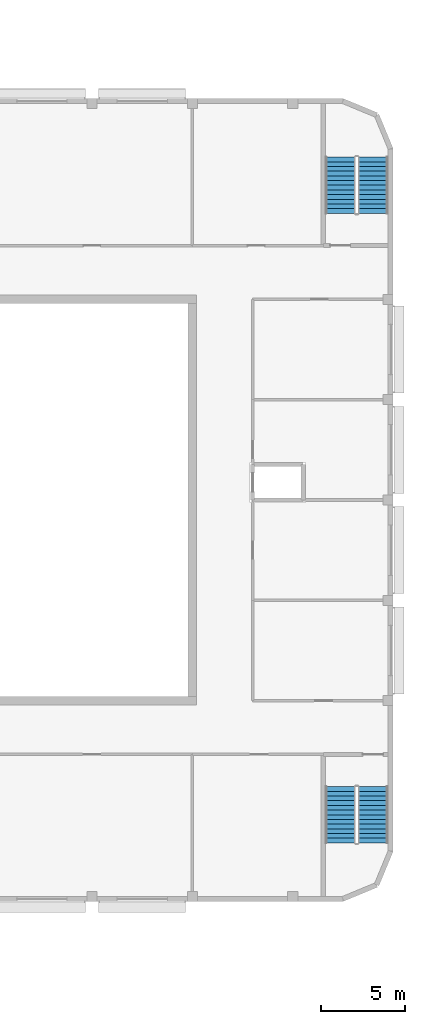
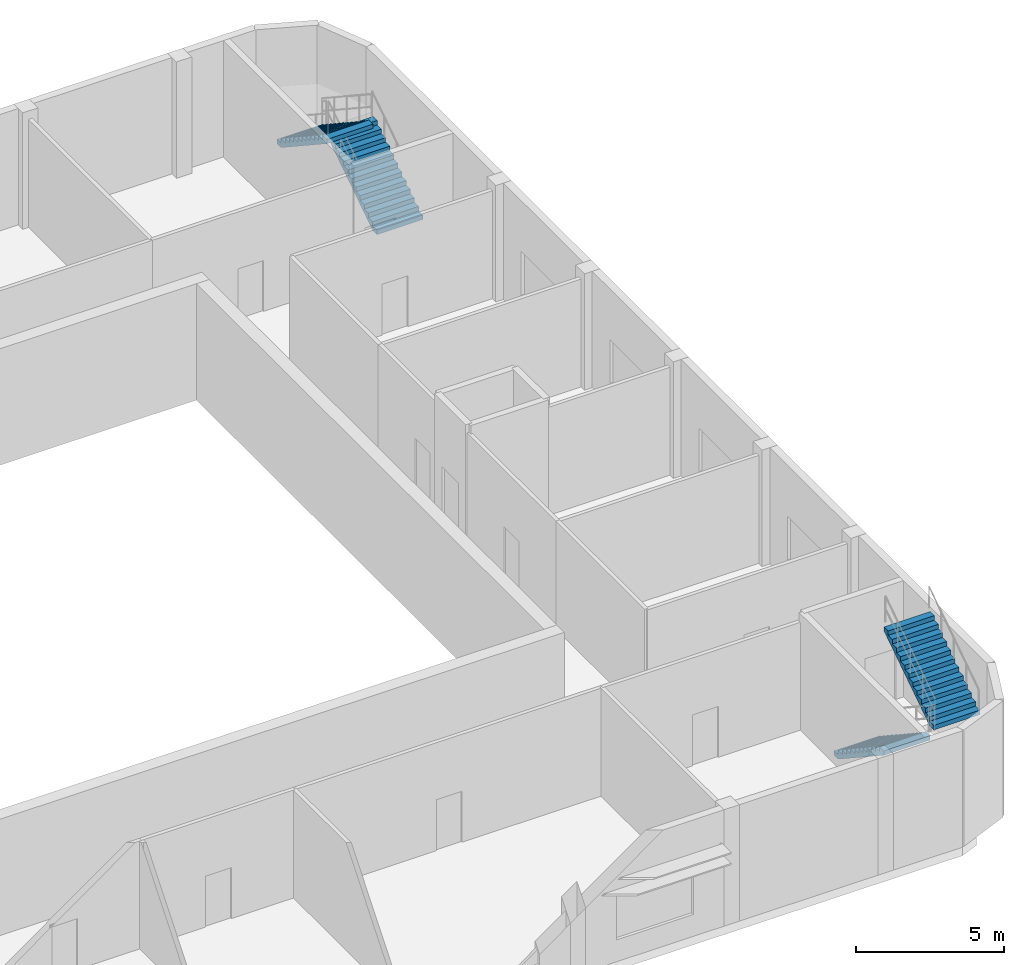
# One storey, part 27 of 45: 4 stair flights, 2 elements without a shape of their own.
"""IFC4 building model written with IfcOpenShell, lengths in metres."""

from ifc_helpers import new_model, si_unit, direction, frame, origin, place, context, subcontext, project, spatial, polyline, outline, extrude, material, type_object, element, aggregate, save


model = new_model("IFC4")

# Units and contexts
model_context = context("Model", 3, precision=1e-05, world=origin(), true_north=direction((0.0, 1.0)))
body_context = subcontext(model_context, "Body", "Model", "MODEL_VIEW")
ifc_project = project(units=[si_unit("LENGTHUNIT", "METRE"), si_unit("AREAUNIT", "SQUARE_METRE"), si_unit("VOLUMEUNIT", "CUBIC_METRE"), si_unit("PLANEANGLEUNIT", "RADIAN"), si_unit("MASSUNIT", "GRAM", prefix="KILO")], contexts=[model_context])

# Site, building, storey
site_placement = place(None, origin())
site = spatial("IfcSite", under=ifc_project, at=site_placement, CompositionType="ELEMENT")
building_placement = place(site_placement, origin())
building = spatial("IfcBuilding", under=site, at=building_placement, Name="Nakaniwa Court", CompositionType="ELEMENT")
storey_placement = place(building_placement, frame((0.0, 0.0, 6.60009765625)))
storey = spatial("IfcBuildingStorey", under=building, at=storey_placement, Name="L01", CompositionType="ELEMENT", Elevation=6.60009765625)

# Stair, stair flights
ifc_material = material(Name="Concrete C40/50", Category="concrete")
stair_type = type_object("IfcStairType", Name="Hall exit stair 26 risers", PredefinedType="HALF_TURN_STAIR", material=ifc_material)
stair_1_placement = place(storey_placement, origin())
stair_1 = element("IfcStair", 1, at=stair_1_placement, inside=storey, type_object=stair_type, Name="L01 Exit stair 3", PredefinedType="HALF_TURN_STAIR")
stair_flight_type = type_object("IfcStairFlightType", Name="Hall stair flight 13 risers", PredefinedType="STRAIGHT", material=ifc_material)
stair_flight_1_placement = place(storey_placement, frame((214.85009765625, 62.860107421875, 0.0), z_axis=(0.0, 0.0, 1.0), x_axis=(0.0, -1.0, 0.0)))
stair_flight_1 = element("IfcStairFlight", 2, at=stair_flight_1_placement, type_object=stair_flight_type, Name="ST-H3 flight 1", NumberOfRisers=13, NumberOfTreads=12, PredefinedType="STRAIGHT", RiserHeight=0.184615385, TreadLength=0.28, context=body_context, shape_type="SweptSolid", body=[
    extrude(outline(polyline([(0.0, 0.0), (0.0, 0.0263671875), (0.0, 0.052734375), (0.0, 0.0791015625), (0.0, 0.10546875), (0.0, 0.1318359375), (0.0, 0.158203125), (0.0, 0.1845703125), (0.280029296875, 0.1845703125), (0.280029296875, 0.369140625), (0.56005859375, 0.369140625), (0.56005859375, 0.553955078125), (0.840087890625, 0.553955078125), (0.840087890625, 0.738525390625), (1.1201171875, 0.738525390625), (1.1201171875, 0.923095703125), (1.39990234375, 0.923095703125), (1.39990234375, 1.107666015625), (1.679931640625, 1.107666015625), (1.679931640625, 1.292236328125), (1.9599609375, 1.292236328125), (1.9599609375, 1.476806640625), (2.239990234375, 1.476806640625), (2.239990234375, 1.66162109375), (2.52001953125, 1.66162109375), (2.52001953125, 1.84619140625), (2.800048828125, 1.84619140625), (2.800048828125, 2.03076171875), (3.080078125, 2.03076171875), (3.080078125, 2.21533203125), (3.360107421875, 2.21533203125), (3.360107421875, 2.39990234375), (3.360107421875, 2.347900390625), (3.360107421875, 2.2958984375), (3.360107421875, 2.243896484375), (3.360107421875, 2.19189453125), (3.360107421875, 2.139892578125), (3.360107421875, 2.087890625), (3.360107421875, 2.035888671875), (0.272216796875, 0.0), (0.0, 0.0)])), frame((0.0, 0.89990234375, 0.0), z_axis=(0.0, -1.0, 0.0), x_axis=(1.0, 0.0, 0.0)), (0.0, 0.0, 1.0), 1.800048828125),
])
stair_flight_2_placement = place(storey_placement, frame((216.800048828125, 59.5, 2.39990234375), z_axis=(0.0, 0.0, 1.0), x_axis=(0.0, 1.0, 0.0)))
stair_flight_2 = element("IfcStairFlight", 3, at=stair_flight_2_placement, type_object=stair_flight_type, Name="ST-H3 flight 2", NumberOfRisers=13, NumberOfTreads=12, PredefinedType="STRAIGHT", RiserHeight=0.184615385, TreadLength=0.28, context=body_context, shape_type="SweptSolid", body=[
    extrude(outline(polyline([(0.0, 0.0), (0.0, 0.0263671875), (0.0, 0.052734375), (0.0, 0.0791015625), (0.0, 0.10546875), (0.0, 0.1318359375), (0.0, 0.158203125), (0.0, 0.1845703125), (0.280029296875, 0.1845703125), (0.280029296875, 0.369140625), (0.56005859375, 0.369140625), (0.56005859375, 0.553955078125), (0.840087890625, 0.553955078125), (0.840087890625, 0.738525390625), (1.1201171875, 0.738525390625), (1.1201171875, 0.923095703125), (1.39990234375, 0.923095703125), (1.39990234375, 1.107666015625), (1.679931640625, 1.107666015625), (1.679931640625, 1.292236328125), (1.9599609375, 1.292236328125), (1.9599609375, 1.476806640625), (2.239990234375, 1.476806640625), (2.239990234375, 1.66162109375), (2.52001953125, 1.66162109375), (2.52001953125, 1.84619140625), (2.800048828125, 1.84619140625), (2.800048828125, 2.03076171875), (3.080078125, 2.03076171875), (3.080078125, 2.21533203125), (3.360107421875, 2.21533203125), (3.360107421875, 2.39990234375), (3.360107421875, 2.347900390625), (3.360107421875, 2.2958984375), (3.360107421875, 2.243896484375), (3.360107421875, 2.19189453125), (3.360107421875, 2.139892578125), (3.360107421875, 2.087890625), (3.360107421875, 2.035888671875), (0.272216796875, 0.0), (0.0, 0.0)])), frame((0.0, 0.89990234375, 0.0), z_axis=(0.0, -1.0, 0.0), x_axis=(1.0, 0.0, 0.0)), (0.0, 0.0, 1.0), 1.800048828125),
])
aggregate(stair_1, [stair_flight_1, stair_flight_2])

stair_2_placement = place(storey_placement, origin())
stair_2 = element("IfcStair", 4, at=stair_2_placement, inside=storey, type_object=stair_type, Name="L01 Exit stair 4", PredefinedType="HALF_TURN_STAIR")
stair_flight_3_placement = place(storey_placement, frame((216.800048828125, 97.139892578125, 0.0), z_axis=(0.0, 0.0, 1.0), x_axis=(0.0, 1.0, 0.0)))
stair_flight_3 = element("IfcStairFlight", 5, at=stair_flight_3_placement, type_object=stair_flight_type, Name="ST-H4 flight 1", NumberOfRisers=13, NumberOfTreads=12, PredefinedType="STRAIGHT", RiserHeight=0.184615385, TreadLength=0.28, context=body_context, shape_type="SweptSolid", body=[
    extrude(outline(polyline([(0.0, 0.0), (0.0, 0.0263671875), (0.0, 0.052734375), (0.0, 0.0791015625), (0.0, 0.10546875), (0.0, 0.1318359375), (0.0, 0.158203125), (0.0, 0.1845703125), (0.280029296875, 0.1845703125), (0.280029296875, 0.369140625), (0.56005859375, 0.369140625), (0.56005859375, 0.553955078125), (0.840087890625, 0.553955078125), (0.840087890625, 0.738525390625), (1.1201171875, 0.738525390625), (1.1201171875, 0.923095703125), (1.39990234375, 0.923095703125), (1.39990234375, 1.107666015625), (1.679931640625, 1.107666015625), (1.679931640625, 1.292236328125), (1.9599609375, 1.292236328125), (1.9599609375, 1.476806640625), (2.239990234375, 1.476806640625), (2.239990234375, 1.66162109375), (2.52001953125, 1.66162109375), (2.52001953125, 1.84619140625), (2.800048828125, 1.84619140625), (2.800048828125, 2.03076171875), (3.080078125, 2.03076171875), (3.080078125, 2.21533203125), (3.360107421875, 2.21533203125), (3.360107421875, 2.39990234375), (3.360107421875, 2.347900390625), (3.360107421875, 2.2958984375), (3.360107421875, 2.243896484375), (3.360107421875, 2.19189453125), (3.360107421875, 2.139892578125), (3.360107421875, 2.087890625), (3.360107421875, 2.035888671875), (0.272216796875, 0.0), (0.0, 0.0)])), frame((0.0, 0.89990234375, 0.0), z_axis=(0.0, -1.0, 0.0), x_axis=(1.0, 0.0, 0.0)), (0.0, 0.0, 1.0), 1.800048828125),
])
stair_flight_4_placement = place(storey_placement, frame((214.85009765625, 100.5, 2.39990234375), z_axis=(0.0, 0.0, 1.0), x_axis=(0.0, -1.0, 0.0)))
stair_flight_4 = element("IfcStairFlight", 6, at=stair_flight_4_placement, type_object=stair_flight_type, Name="ST-H4 flight 2", NumberOfRisers=13, NumberOfTreads=12, PredefinedType="STRAIGHT", RiserHeight=0.184615385, TreadLength=0.28, context=body_context, shape_type="SweptSolid", body=[
    extrude(outline(polyline([(0.0, 0.0), (0.0, 0.0263671875), (0.0, 0.052734375), (0.0, 0.0791015625), (0.0, 0.10546875), (0.0, 0.1318359375), (0.0, 0.158203125), (0.0, 0.1845703125), (0.280029296875, 0.1845703125), (0.280029296875, 0.369140625), (0.56005859375, 0.369140625), (0.56005859375, 0.553955078125), (0.840087890625, 0.553955078125), (0.840087890625, 0.738525390625), (1.1201171875, 0.738525390625), (1.1201171875, 0.923095703125), (1.39990234375, 0.923095703125), (1.39990234375, 1.107666015625), (1.679931640625, 1.107666015625), (1.679931640625, 1.292236328125), (1.9599609375, 1.292236328125), (1.9599609375, 1.476806640625), (2.239990234375, 1.476806640625), (2.239990234375, 1.66162109375), (2.52001953125, 1.66162109375), (2.52001953125, 1.84619140625), (2.800048828125, 1.84619140625), (2.800048828125, 2.03076171875), (3.080078125, 2.03076171875), (3.080078125, 2.21533203125), (3.360107421875, 2.21533203125), (3.360107421875, 2.39990234375), (3.360107421875, 2.347900390625), (3.360107421875, 2.2958984375), (3.360107421875, 2.243896484375), (3.360107421875, 2.19189453125), (3.360107421875, 2.139892578125), (3.360107421875, 2.087890625), (3.360107421875, 2.035888671875), (0.272216796875, 0.0), (0.0, 0.0)])), frame((0.0, 0.89990234375, 0.0), z_axis=(0.0, -1.0, 0.0), x_axis=(1.0, 0.0, 0.0)), (0.0, 0.0, 1.0), 1.800048828125),
])
aggregate(stair_2, [stair_flight_3, stair_flight_4])

save(model, "model.ifc")
